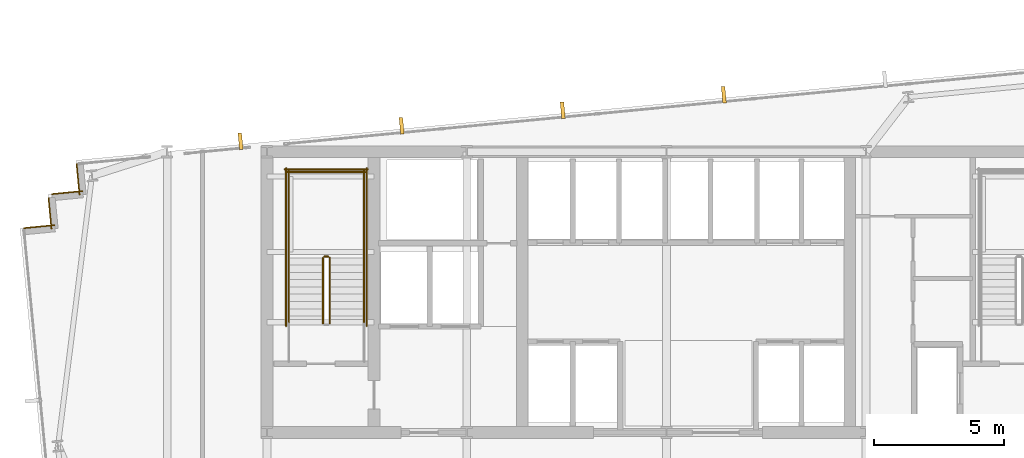
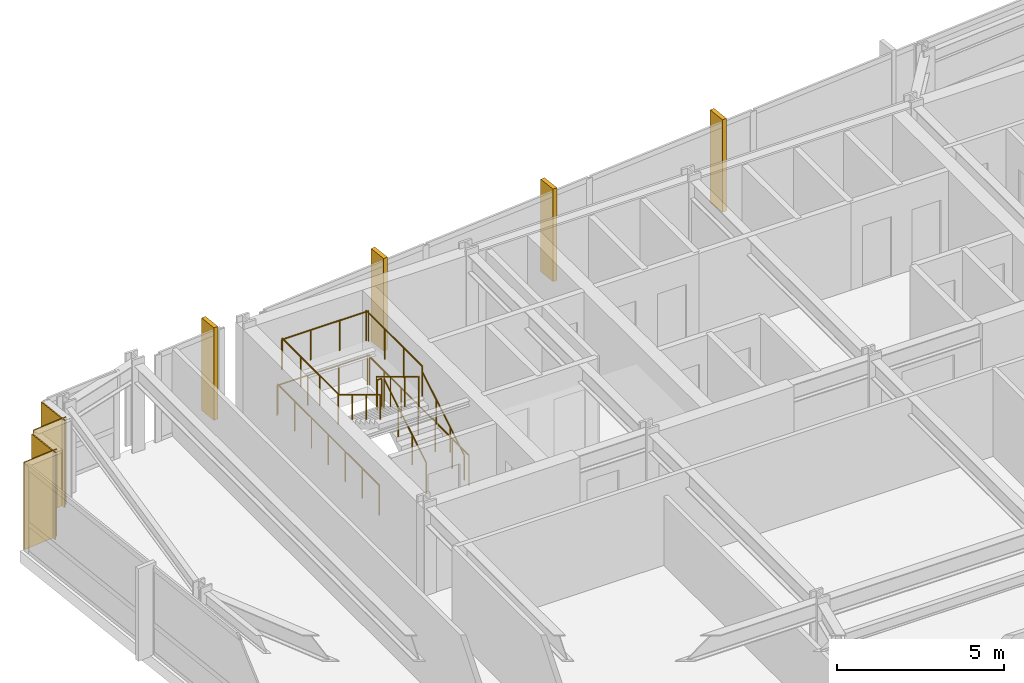
# One storey, part 32 of 33: 11 railings, 4 coverings, 4 shading devices.
"""IFC4 building model written with IfcOpenShell, lengths in metres."""

from ifc_helpers import new_model, si_unit, direction, frame, frame_2d, origin, origin_2d, place, context, subcontext, project, spatial, rectangle, circle, extrude, material, layer, layer_set, type_object, element, save


model = new_model("IFC4")

# Units and contexts
model_context = context("Model", 3, precision=1e-05, world=origin(), true_north=direction((0.0, 1.0)))
body_context = subcontext(model_context, "Body", "Model", "MODEL_VIEW")
ifc_project = project(units=[si_unit("LENGTHUNIT", "METRE"), si_unit("AREAUNIT", "SQUARE_METRE"), si_unit("VOLUMEUNIT", "CUBIC_METRE"), si_unit("PLANEANGLEUNIT", "RADIAN"), si_unit("MASSUNIT", "GRAM", prefix="KILO")], contexts=[model_context])

# Site, building, storey
site_placement = place(None, origin())
site = spatial("IfcSite", under=ifc_project, at=site_placement, CompositionType="ELEMENT")
building_placement = place(site_placement, origin())
building = spatial("IfcBuilding", under=site, at=building_placement, Name="Yelkora Congress Tower", CompositionType="ELEMENT")
storey_placement = place(building_placement, frame((0.0, 0.0, 89.699951171875)))
storey = spatial("IfcBuildingStorey", under=building, at=storey_placement, Name="L23", CompositionType="ELEMENT", Elevation=89.699951171875)

# Coverings
ifc_material_1 = material(Name="Anatolian bush-hammered limestone", Category="masonry")
ifc_layer_1 = layer(ifc_material_1, 0.0400390625)
ifc_layer_set_1 = layer_set([ifc_layer_1], Name="Anatolian bush-hammered limestone")
covering_type = type_object("IfcCoveringType", Name="COV-CLAD-SPANDREL-40", PredefinedType="CLADDING", material=ifc_layer_set_1)
for number, where, z_axis, x_axis, name in (
    (1, (13.677978515625, 43.260986328125, 0.0), (0.0, 0.0, 1.0), (0.995397091755, 0.095836473879, 0.0), "L23 Anatolian Limestone Cladding EW-L23-SR06"),
    (2, (14.7509765625, 43.228759765625, 0.0), (0.0, 0.0, 1.0), (-0.095836473879, 0.995397091755, 0.0), "L23 Anatolian Limestone Cladding EW-L23-SR07"),
):
    element("IfcCovering", number, at=place(storey_placement, frame(where, z_axis=z_axis, x_axis=x_axis)), inside=storey, type_object=covering_type, Name=name, PredefinedType="CLADDING", context=body_context, shape_type="SweptSolid", body=[
        extrude(rectangle(XDim=1.199951171875, YDim=0.0400390625, at=frame_2d((0.60009765625, 0.0))), origin(), (0.0, 0.0, 1.0), 3.179931640625),
    ])
for number, where, z_axis, x_axis, name in (
    (3, (14.75732421875, 44.570556640625, 0.0), (0.0, 0.0, 1.0), (0.995398960025, 0.095817067274, 0.0), "L23 Anatolian Limestone Cladding EW-L23-SR08"),
    (4, (15.830322265625, 44.5380859375, 0.0), (0.0, 0.0, 1.0), (-0.095817067274, 0.995398960025, 0.0), "L23 Anatolian Limestone Cladding EW-L23-SR09"),
):
    element("IfcCovering", number, at=place(storey_placement, frame(where, z_axis=z_axis, x_axis=x_axis)), inside=storey, type_object=covering_type, Name=name, PredefinedType="CLADDING", context=body_context, shape_type="SweptSolid", body=[
        extrude(rectangle(XDim=1.2001953125, YDim=0.0400390625, at=frame_2d((0.60009765625, 0.0))), origin(), (0.0, 0.0, 1.0), 3.179931640625),
    ])

# Railings
ifc_material_2 = material(Name="Painted galvanised steel stair well guard with vertical infill", Category="steel")
ifc_layer_2 = layer(ifc_material_2, 0.06005859375)
ifc_layer_set_2 = layer_set([ifc_layer_2], Name="Painted galvanised steel stair well guard with vertical infill")
railing_type_1 = type_object("IfcRailingType", Name="RAIL-STAIR-GUARD-1120", PredefinedType="GUARDRAIL", material=ifc_layer_set_2)
railing_1_placement = place(storey_placement, frame((25.449951171875, 39.60009765625, 0.170166015625)))
element("IfcRailing", 5, at=railing_1_placement, inside=storey, type_object=railing_type_1, Name="ST-01 L23 Stair Well Guardrail 1", PredefinedType="GUARDRAIL", context=body_context, shape_type="SweptSolid", body=[
    extrude(circle(Radius=0.02392578125, at=origin_2d()), frame((0.0, 0.0, 1.09619140625), z_axis=(0.0, 0.854821627497, 0.518921945155), x_axis=(-1.0, 0.0, 0.0)), (0.0, 0.0, 1.0), 2.947998046875),
    extrude(circle(Radius=0.02099609375, at=origin_2d()), origin(), (0.0, 0.0, 1.0), 1.072021484375),
    extrude(circle(Radius=0.02099609375, at=origin_2d()), frame((0.0, 0.840087890625, 0.510009765625)), (0.0, 0.0, 1.0), 1.072021484375),
    extrude(circle(Radius=0.02099609375, at=origin_2d()), frame((0.0, 1.679931640625, 1.019775390625)), (0.0, 0.0, 1.0), 1.072021484375),
    extrude(circle(Radius=0.02099609375, at=origin_2d()), frame((0.0, 2.52001953125, 1.52978515625)), (0.0, 0.0, 1.0), 1.072021484375),
])
railing_2_placement = place(storey_placement, frame((25.39990234375, 42.169921875, 1.699951171875)))
element("IfcRailing", 6, at=railing_2_placement, inside=storey, type_object=railing_type_1, Name="ST-01 L23 Stair Well Guardrail 2", PredefinedType="GUARDRAIL", context=body_context, shape_type="SweptSolid", body=[
    extrude(circle(Radius=0.02392578125, at=origin_2d()), frame((0.0, 0.0, 1.09619140625), z_axis=(-1.0, 0.0, 0.0), x_axis=(0.0, -1.0, 0.0)), (0.0, 0.0, 1.0), 0.159912109375),
    extrude(circle(Radius=0.02099609375, at=origin_2d()), origin(), (0.0, 0.0, 1.0), 1.072021484375),
    extrude(circle(Radius=0.02099609375, at=origin_2d()), frame((-0.159912109375, 0.0, 0.0)), (0.0, 0.0, 1.0), 1.072021484375),
])
for number, where, name in (
    (7, (26.77001953125, 42.1201171875, 1.699951171875), "ST-01 L23 Stair Well Guardrail 3"),
    (8, (23.8701171875, 42.1201171875, 1.699951171875), "ST-01 L23 Stair Well Guardrail 4"),
):
    element("IfcRailing", number, at=place(storey_placement, frame(where)), inside=storey, type_object=railing_type_1, Name=name, PredefinedType="GUARDRAIL", context=body_context, shape_type="SweptSolid", body=[
        extrude(circle(Radius=0.02392578125, at=origin_2d()), frame((0.0, 0.0, 1.09619140625), z_axis=(0.0, 1.0, 0.0), x_axis=(-1.0, 0.0, 0.0)), (0.0, 0.0, 1.0), 3.349853515625),
        extrude(circle(Radius=0.02099609375, at=origin_2d()), origin(), (0.0, 0.0, 1.0), 1.072021484375),
        extrude(circle(Radius=0.02099609375, at=origin_2d()), frame((0.0, 1.11669921875, 0.0)), (0.0, 0.0, 1.0), 1.072021484375),
        extrude(circle(Radius=0.02099609375, at=origin_2d()), frame((0.0, 2.233154296875, 0.0)), (0.0, 0.0, 1.0), 1.072021484375),
        extrude(circle(Radius=0.02099609375, at=origin_2d()), frame((0.0, 3.349853515625, 0.0)), (0.0, 0.0, 1.0), 1.072021484375),
    ])
railing_3_placement = place(storey_placement, frame((26.820068359375, 45.419921875, 1.699951171875)))
element("IfcRailing", 9, at=railing_3_placement, inside=storey, type_object=railing_type_1, Name="ST-01 L23 Stair Well Guardrail 5", PredefinedType="GUARDRAIL", context=body_context, shape_type="SweptSolid", body=[
    extrude(circle(Radius=0.02392578125, at=origin_2d()), frame((0.0, 0.0, 1.09619140625), z_axis=(-1.0, 0.0, 0.0), x_axis=(0.0, -1.0, 0.0)), (0.0, 0.0, 1.0), 3.0),
    extrude(circle(Radius=0.02099609375, at=origin_2d()), origin(), (0.0, 0.0, 1.0), 1.072021484375),
    extrude(circle(Radius=0.02099609375, at=origin_2d()), frame((-1.0, 0.0, 0.0)), (0.0, 0.0, 1.0), 1.072021484375),
    extrude(circle(Radius=0.02099609375, at=origin_2d()), frame((-2.0, 0.0, 0.0)), (0.0, 0.0, 1.0), 1.072021484375),
    extrude(circle(Radius=0.02099609375, at=origin_2d()), frame((-3.0, 0.0, 0.0)), (0.0, 0.0, 1.0), 1.072021484375),
])
railing_4_placement = place(storey_placement, frame((25.18994140625, 42.1201171875, 1.8701171875)))
element("IfcRailing", 10, at=railing_4_placement, inside=storey, type_object=railing_type_1, Name="ST-01 L23 Stair Well Guardrail 6", PredefinedType="GUARDRAIL", context=body_context, shape_type="SweptSolid", body=[
    extrude(circle(Radius=0.02392578125, at=origin_2d()), frame((0.0, 0.0, 1.09619140625), z_axis=(0.0, -0.85478489116, 0.518982456201), x_axis=(1.0, 0.0, 0.0)), (0.0, 0.0, 1.0), 2.9482421875),
    extrude(circle(Radius=0.02099609375, at=origin_2d()), origin(), (0.0, 0.0, 1.0), 1.072021484375),
    extrude(circle(Radius=0.02099609375, at=origin_2d()), frame((0.0, -0.840087890625, 0.510009765625)), (0.0, 0.0, 1.0), 1.072021484375),
    extrude(circle(Radius=0.02099609375, at=origin_2d()), frame((0.0, -1.679931640625, 1.02001953125)), (0.0, 0.0, 1.0), 1.072021484375),
    extrude(circle(Radius=0.02099609375, at=origin_2d()), frame((0.0, -2.52001953125, 1.530029296875)), (0.0, 0.0, 1.0), 1.072021484375),
])
for number, where, name in (
    (11, (26.8701171875, 39.5, 0.0), "ST-01 L23 Stair Well Guardrail 10"),
    (12, (23.77001953125, 39.5, 0.0), "ST-01 L23 Stair Well Guardrail 11"),
):
    element("IfcRailing", number, at=place(storey_placement, frame(where)), inside=storey, type_object=railing_type_1, Name=name, PredefinedType="GUARDRAIL", context=body_context, shape_type="SweptSolid", body=[
        extrude(circle(Radius=0.02392578125, at=origin_2d()), frame((0.0, 0.0, 1.09619140625), z_axis=(0.0, 1.0, 0.0), x_axis=(-1.0, 0.0, 0.0)), (0.0, 0.0, 1.0), 6.070068359375),
        extrude(circle(Radius=0.02099609375, at=origin_2d()), origin(), (0.0, 0.0, 1.0), 1.072021484375),
        extrude(circle(Radius=0.02099609375, at=origin_2d()), frame((0.0, 1.01171875, 0.0)), (0.0, 0.0, 1.0), 1.072021484375),
        extrude(circle(Radius=0.02099609375, at=origin_2d()), frame((0.0, 2.0234375, 0.0)), (0.0, 0.0, 1.0), 1.072021484375),
        extrude(circle(Radius=0.02099609375, at=origin_2d()), frame((0.0, 3.03515625, 0.0)), (0.0, 0.0, 1.0), 1.072021484375),
        extrude(circle(Radius=0.02099609375, at=origin_2d()), frame((0.0, 4.046630859375, 0.0)), (0.0, 0.0, 1.0), 1.072021484375),
        extrude(circle(Radius=0.02099609375, at=origin_2d()), frame((0.0, 5.058349609375, 0.0)), (0.0, 0.0, 1.0), 1.072021484375),
        extrude(circle(Radius=0.02099609375, at=origin_2d()), frame((0.0, 6.070068359375, 0.0)), (0.0, 0.0, 1.0), 1.072021484375),
    ])
railing_5_placement = place(storey_placement, frame((26.919921875, 45.52001953125, 0.0)))
element("IfcRailing", 13, at=railing_5_placement, inside=storey, type_object=railing_type_1, Name="ST-01 L23 Stair Well Guardrail 12", PredefinedType="GUARDRAIL", context=body_context, shape_type="SweptSolid", body=[
    extrude(circle(Radius=0.02392578125, at=origin_2d()), frame((0.0, 0.0, 1.09619140625), z_axis=(-1.0, 0.0, 0.0), x_axis=(0.0, -1.0, 0.0)), (0.0, 0.0, 1.0), 3.199951171875),
    extrude(circle(Radius=0.02099609375, at=origin_2d()), origin(), (0.0, 0.0, 1.0), 1.072021484375),
    extrude(circle(Radius=0.02099609375, at=origin_2d()), frame((-1.066650390625, 0.0, 0.0)), (0.0, 0.0, 1.0), 1.072021484375),
    extrude(circle(Radius=0.02099609375, at=origin_2d()), frame((-2.13330078125, 0.0, 0.0)), (0.0, 0.0, 1.0), 1.072021484375),
    extrude(circle(Radius=0.02099609375, at=origin_2d()), frame((-3.199951171875, 0.0, 0.0)), (0.0, 0.0, 1.0), 1.072021484375),
])
ifc_material_3 = material(Name="Brushed stainless steel tubular handrail", Category="steel")
ifc_layer_3 = layer(ifc_material_3, 0.050048828125)
ifc_layer_set_3 = layer_set([ifc_layer_3], Name="Brushed stainless steel tubular handrail")
railing_type_2 = type_object("IfcRailingType", Name="RAIL-STAIR-HAND-920", PredefinedType="HANDRAIL", material=ifc_layer_set_3)
railing_6_placement = place(storey_placement, frame((26.77001953125, 39.60009765625, 0.170166015625)))
element("IfcRailing", 14, at=railing_6_placement, inside=storey, type_object=railing_type_2, Name="ST-01 L23 Pitch Handrail 1", PredefinedType="HANDRAIL", context=body_context, shape_type="SweptSolid", body=[
    extrude(circle(Radius=0.02392578125, at=origin_2d()), frame((0.0, 0.0, 0.89599609375), z_axis=(0.0, 0.854821627497, 0.518921945155), x_axis=(-1.0, 0.0, 0.0)), (0.0, 0.0, 1.0), 2.947998046875),
    extrude(circle(Radius=0.02099609375, at=origin_2d()), origin(), (0.0, 0.0, 1.0), 0.871826171875),
    extrude(circle(Radius=0.02099609375, at=origin_2d()), frame((0.0, 0.840087890625, 0.510009765625)), (0.0, 0.0, 1.0), 0.871826171875),
    extrude(circle(Radius=0.02099609375, at=origin_2d()), frame((0.0, 1.679931640625, 1.019775390625)), (0.0, 0.0, 1.0), 0.871826171875),
    extrude(circle(Radius=0.02099609375, at=origin_2d()), frame((0.0, 2.52001953125, 1.52978515625)), (0.0, 0.0, 1.0), 0.871826171875),
])
railing_7_placement = place(storey_placement, frame((23.8701171875, 42.1201171875, 1.8701171875)))
element("IfcRailing", 15, at=railing_7_placement, inside=storey, type_object=railing_type_2, Name="ST-01 L23 Pitch Handrail 2", PredefinedType="HANDRAIL", context=body_context, shape_type="SweptSolid", body=[
    extrude(circle(Radius=0.02392578125, at=origin_2d()), frame((0.0, 0.0, 0.89599609375), z_axis=(0.0, -0.85478489116, 0.518982456201), x_axis=(1.0, 0.0, 0.0)), (0.0, 0.0, 1.0), 2.9482421875),
    extrude(circle(Radius=0.02099609375, at=origin_2d()), origin(), (0.0, 0.0, 1.0), 0.871826171875),
    extrude(circle(Radius=0.02099609375, at=origin_2d()), frame((0.0, -0.840087890625, 0.510009765625)), (0.0, 0.0, 1.0), 0.871826171875),
    extrude(circle(Radius=0.02099609375, at=origin_2d()), frame((0.0, -1.679931640625, 1.02001953125)), (0.0, 0.0, 1.0), 0.871826171875),
    extrude(circle(Radius=0.02099609375, at=origin_2d()), frame((0.0, -2.52001953125, 1.530029296875)), (0.0, 0.0, 1.0), 0.871826171875),
])

# Shading devices
ifc_material_4 = material(Name="Champagne anodised aluminium", Category="aluminium")
ifc_layer_4 = layer(ifc_material_4, 3.39990234375)
ifc_layer_set_4 = layer_set([ifc_layer_4], Name="Champagne anodised aluminium")
shading_device_type = type_object("IfcShadingDeviceType", Name="SHD-FIN-ALU-640", PredefinedType="USERDEFINED", material=ifc_layer_set_4)
for number, where, z_axis, x_axis, name in (
    (16, (22.0205078125, 46.60107421875, -0.02978515625), (0.0, 0.0, 1.0), (0.995396198367, 0.09584575252, 0.0), "L23 Vertical Anodised Solar Fin 10-1"),
    (17, (28.21630859375, 47.197509765625, -0.02978515625), (0.0, 0.0, 1.0), (0.995396198367, 0.09584575252, 0.0), "L23 Vertical Anodised Solar Fin 10-2"),
    (18, (34.412109375, 47.794189453125, -0.02978515625), (0.0, 0.0, 1.0), (0.995396198367, 0.09584575252, 0.0), "L23 Vertical Anodised Solar Fin 10-3"),
    (19, (40.60791015625, 48.390869140625, -0.02978515625), (0.0, 0.0, 1.0), (0.995396198367, 0.09584575252, 0.0), "L23 Vertical Anodised Solar Fin 10-4"),
):
    element("IfcShadingDevice", number, at=place(storey_placement, frame(where, z_axis=z_axis, x_axis=x_axis)), inside=storey, type_object=shading_device_type, Name=name, ObjectType="FIN", PredefinedType="USERDEFINED", context=body_context, shape_type="SweptSolid", body=[
        extrude(rectangle(XDim=0.139892578125, YDim=0.639892578125, at=origin_2d()), origin(), (0.0, 0.0, 1.0), 3.3798828125),
    ])

save(model, "model.ifc")
